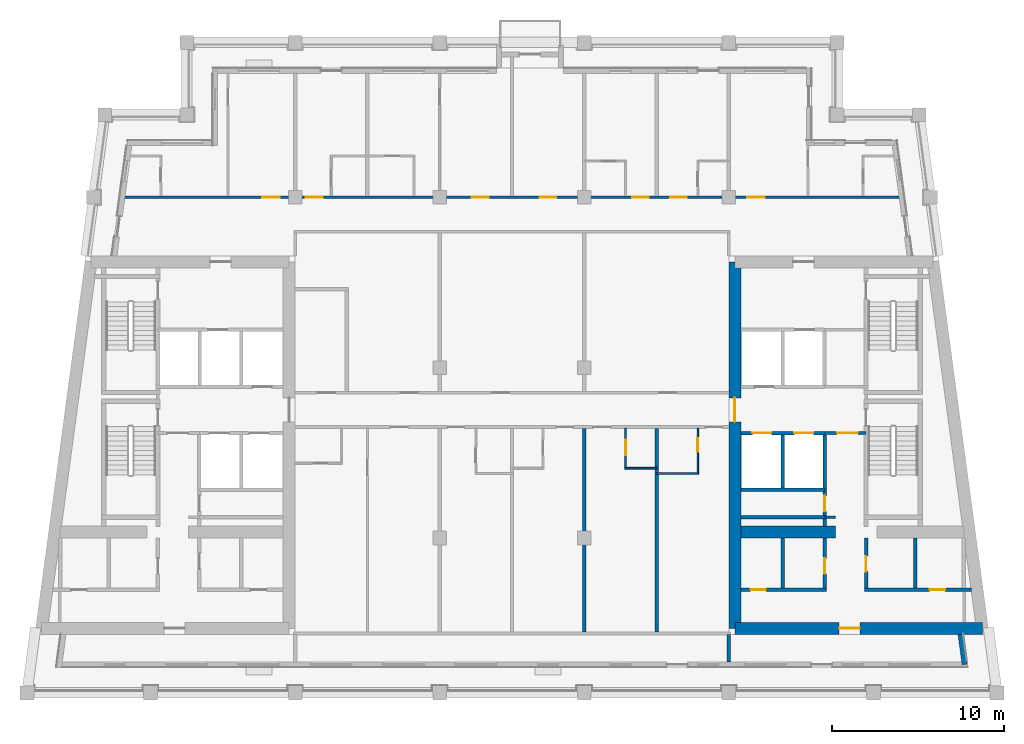
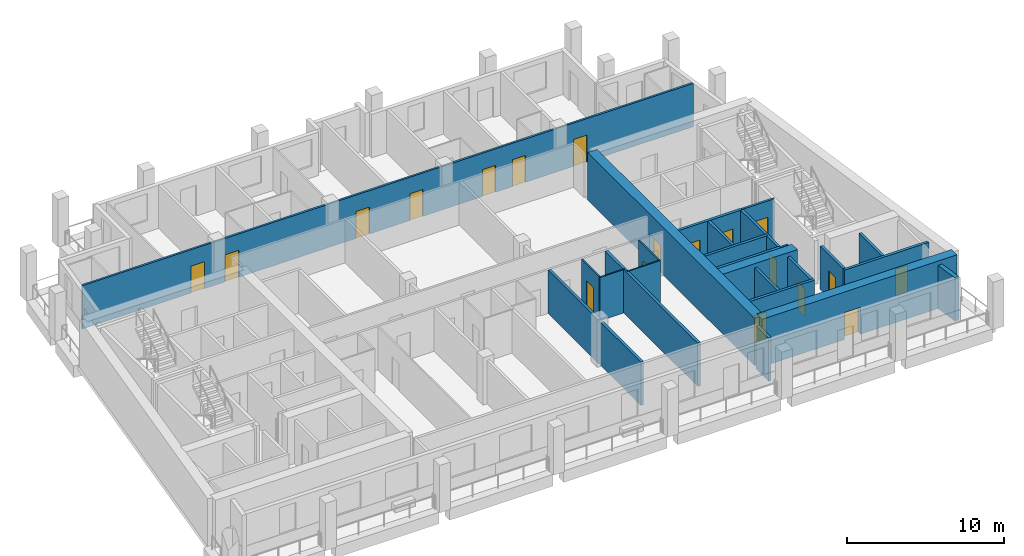
# One storey, part 5 of 13: 25 walls, 19 doors, 19 openings.
"""IFC4 building model written with IfcOpenShell, lengths in metres."""

from ifc_helpers import new_model, si_unit, direction, frame, frame_2d, origin, place, context, subcontext, project, spatial, rectangle, extrude, material, layer, layer_set, type_object, element, fill, save


model = new_model("IFC4")

# Units and contexts
model_context = context("Model", 3, precision=1e-05, world=origin(), true_north=direction((0.0, 1.0)))
body_context = subcontext(model_context, "Body", "Model", "MODEL_VIEW")
ifc_project = project(units=[si_unit("LENGTHUNIT", "METRE"), si_unit("AREAUNIT", "SQUARE_METRE"), si_unit("VOLUMEUNIT", "CUBIC_METRE"), si_unit("PLANEANGLEUNIT", "RADIAN"), si_unit("MASSUNIT", "GRAM", prefix="KILO")], contexts=[model_context])

# Site, building, storey
site_placement = place(None, origin())
site = spatial("IfcSite", under=ifc_project, at=site_placement, CompositionType="ELEMENT")
building_placement = place(site_placement, origin())
building = spatial("IfcBuilding", under=site, at=building_placement, Name="Candeia Pilgrim Tower and Theatre", CompositionType="ELEMENT")
storey_placement = place(building_placement, frame((0.0, 0.0, 270.10009765625)))
storey = spatial("IfcBuildingStorey", under=building, at=storey_placement, Name="L65", CompositionType="ELEMENT", Elevation=270.10009765625)

# Wall, opening, door
ifc_material_1 = material(Name="Concrete C40/50", Category="concrete")
ifc_layer_1 = layer(ifc_material_1, 0.699951171875)
ifc_layer_set_1 = layer_set([ifc_layer_1], Name="Core wall 700 C40/50")
wall_type_1 = type_object("IfcWallType", Name="Core wall 700 C40/50", PredefinedType="SHEAR", material=ifc_layer_set_1)
wall_1_placement = place(storey_placement, frame((140.73046875, 110.75, 0.0), z_axis=(0.0, 0.0, 1.0), x_axis=(-1.0, 0.0, 0.0)))
wall_1 = element("IfcWall", 1, at=wall_1_placement, inside=storey, type_object=wall_type_1, Name="Core wall E3", PredefinedType="SHEAR", context=body_context, shape_type="SweptSolid", body=[
    extrude(rectangle(XDim=14.38037109375, YDim=0.699951171875, at=frame_2d((7.190185546875, 0.0))), origin(), (0.0, 0.0, 1.0), 3.699951171875),
])
opening_1_placement = place(wall_1_placement, frame((7.1201171875, 0.0, 0.0)))
opening_1 = element("IfcOpeningElement", 2, at=opening_1_placement, cuts=wall_1, Name="Opening L65-D049", PredefinedType="OPENING", context=body_context, shape_type="SweptSolid", body=[
    extrude(rectangle(XDim=1.199951171875, YDim=2.10009765625, at=frame_2d((0.60009765625, 1.050048828125))), frame((0.0, 0.35986328125, 0.0), z_axis=(0.0, -1.0, 0.0), x_axis=(1.0, 0.0, 0.0)), (0.0, 0.0, 1.0), 0.719970703125),
])
ifc_material_2 = material(Name="Steel fire door set", Category="steel")
door_type_1 = type_object("IfcDoorType", Name="D-1200-FD60", OperationType="NOTDEFINED", PredefinedType="DOOR", material=ifc_material_2)
door_1_placement = place(opening_1_placement, origin())
door_1 = element("IfcDoor", 3, at=door_1_placement, inside=storey, type_object=door_type_1, Name="Door L65-D049", OperationType="SINGLE_SWING_RIGHT", OverallHeight=2.10009765625, OverallWidth=1.199951171875, PredefinedType="DOOR", context=body_context, shape_type="SweptSolid", body=[
    extrude(rectangle(XDim=1.199951171875, YDim=2.10009765625, at=frame_2d((0.60009765625, 1.050048828125))), frame((0.0, 0.02490234375, 0.0), z_axis=(0.0, -1.0, 0.0), x_axis=(1.0, 0.0, 0.0)), (0.0, 0.0, 1.0), 0.050048828125),
])
fill(opening_1, door_1)

wall_2_placement = place(storey_placement, frame((126.35009765625, 110.75, 0.0), z_axis=(0.0, 0.0, 1.0), x_axis=(0.0, 1.0, 0.0)))
wall_2 = element("IfcWall", 4, at=wall_2_placement, inside=storey, type_object=wall_type_1, Name="Core wall E4", PredefinedType="SHEAR", context=body_context, shape_type="SweptSolid", body=[
    extrude(rectangle(XDim=21.300048828125, YDim=0.699951171875, at=frame_2d((10.64990234375, 0.0))), origin(), (0.0, 0.0, 1.0), 3.699951171875),
])
opening_2_placement = place(wall_2_placement, frame((12.0, 0.0, 0.0)))
opening_2 = element("IfcOpeningElement", 5, at=opening_2_placement, cuts=wall_2, Name="Opening L65-D053", PredefinedType="OPENING", context=body_context, shape_type="SweptSolid", body=[
    extrude(rectangle(XDim=1.39990234375, YDim=2.10009765625, at=frame_2d((0.699951171875, 1.050048828125))), frame((0.0, 0.35986328125, 0.0), z_axis=(0.0, -1.0, 0.0), x_axis=(1.0, 0.0, 0.0)), (0.0, 0.0, 1.0), 0.719970703125),
])
door_type_2 = type_object("IfcDoorType", Name="D-1400-FD60", OperationType="NOTDEFINED", PredefinedType="DOOR", material=ifc_material_2)
door_2_placement = place(opening_2_placement, origin())
door_2 = element("IfcDoor", 6, at=door_2_placement, inside=storey, type_object=door_type_2, Name="Door L65-D053", OperationType="SINGLE_SWING_RIGHT", OverallHeight=2.10009765625, OverallWidth=1.39990234375, PredefinedType="DOOR", context=body_context, shape_type="SweptSolid", body=[
    extrude(rectangle(XDim=1.39990234375, YDim=2.10009765625, at=frame_2d((0.699951171875, 1.050048828125))), frame((0.0, 0.02490234375, 0.0), z_axis=(0.0, -1.0, 0.0), x_axis=(1.0, 0.0, 0.0)), (0.0, 0.0, 1.0), 0.050048828125),
])
fill(opening_2, door_2)

# Walls
wall_3_placement = place(storey_placement, frame((126.699951171875, 116.35009765625, 0.0), z_axis=(0.0, 0.0, 1.0), x_axis=(1.0, 0.0, 0.0)))
element("IfcWall", 7, at=wall_3_placement, inside=storey, type_object=wall_type_1, Name="Core wall E5", PredefinedType="SHEAR", context=body_context, shape_type="SweptSolid", body=[
    extrude(rectangle(XDim=5.5, YDim=0.699951171875, at=frame_2d((2.75, 0.0))), origin(), (0.0, 0.0, 1.0), 3.699951171875),
])
ifc_material_3 = material(Name="Ceramic block masonry", Category="masonry")
ifc_layer_2 = layer(ifc_material_3, 0.300048828125)
ifc_layer_set_2 = layer_set([ifc_layer_2], Name="EW1 glazing-line wall 300")
wall_type_2 = type_object("IfcWallType", Name="EW1 glazing-line wall 300", PredefinedType="SOLIDWALL", material=ifc_layer_set_2)
wall_4_placement = place(storey_placement, frame((139.701416015625, 108.64990234375, 0.0), z_axis=(0.0, 0.0, 1.0), x_axis=(-0.133422458344, 0.991059255347, 0.0)))
element("IfcWall", 8, at=wall_4_placement, inside=storey, type_object=wall_type_2, Name="External wall L65-2.0", PredefinedType="SOLIDWALL", context=body_context, shape_type="SweptSolid", body=[
    extrude(rectangle(XDim=1.765869140625, YDim=0.300048828125, at=frame_2d((0.8828125, 0.0))), origin(), (0.0, 0.0, 1.0), 3.3798828125),
])
ifc_material_4 = material(Name="Gypsum board partition on steel studs", Category="steel")
ifc_layer_3 = layer(ifc_material_4, 0.10009765625)
ifc_layer_set_3 = layer_set([ifc_layer_3], Name="PW-100 room partition")
wall_type_3 = type_object("IfcWallType", Name="PW-100 room partition", PredefinedType="PARTITIONING", material=ifc_layer_set_3)
wall_5_placement = place(storey_placement, frame((121.800048828125, 119.75, 0.0), z_axis=(0.0, 0.0, 1.0), x_axis=(1.0, 0.0, 0.0)))
element("IfcWall", 9, at=wall_5_placement, inside=storey, type_object=wall_type_3, Name="Room partition L65-015", PredefinedType="PARTITIONING", context=body_context, shape_type="SweptSolid", body=[
    extrude(rectangle(XDim=2.449951171875, YDim=0.10009765625, at=frame_2d((1.22509765625, 0.0))), origin(), (0.0, 0.0, 1.0), 3.3798828125),
])
wall_6_placement = place(storey_placement, frame((119.949951171875, 120.050048828125, 0.0), z_axis=(0.0, 0.0, 1.0), x_axis=(1.0, 0.0, 0.0)))
element("IfcWall", 10, at=wall_6_placement, inside=storey, type_object=wall_type_3, Name="Room partition L65-017", PredefinedType="PARTITIONING", context=body_context, shape_type="SweptSolid", body=[
    extrude(rectangle(XDim=1.85009765625, YDim=0.10009765625, at=frame_2d((0.925048828125, 0.0))), origin(), (0.0, 0.0, 1.0), 3.3798828125),
])

# Wall, opening, door
wall_7_placement = place(storey_placement, frame((120.0, 120.10009765625, 0.0), z_axis=(0.0, 0.0, 1.0), x_axis=(0.0, 1.0, 0.0)))
wall_7 = element("IfcWall", 11, at=wall_7_placement, inside=storey, type_object=wall_type_3, Name="Room partition L65-081", PredefinedType="PARTITIONING", context=body_context, shape_type="SweptSolid", body=[
    extrude(rectangle(XDim=2.27490234375, YDim=0.10009765625, at=frame_2d((1.137451171875, 0.0))), origin(), (0.0, 0.0, 1.0), 3.3798828125),
])
opening_3_placement = place(wall_7_placement, frame((0.699951171875, 0.0, 0.0)))
opening_3 = element("IfcOpeningElement", 12, at=opening_3_placement, cuts=wall_7, Name="Opening L65-D025", PredefinedType="OPENING", context=body_context, shape_type="SweptSolid", body=[
    extrude(rectangle(XDim=0.89990234375, YDim=2.10009765625, at=frame_2d((0.449951171875, 1.050048828125))), frame((0.0, 0.06005859375, 0.0), z_axis=(0.0, -1.0, 0.0), x_axis=(1.0, 0.0, 0.0)), (0.0, 0.0, 1.0), 0.1201171875),
])
ifc_material_5 = material(Name="Timber door leaf", Category="wood")
door_type_3 = type_object("IfcDoorType", Name="D-900", OperationType="NOTDEFINED", PredefinedType="DOOR", material=ifc_material_5)
door_3_placement = place(opening_3_placement, origin())
door_3 = element("IfcDoor", 13, at=door_3_placement, inside=storey, type_object=door_type_3, Name="Door L65-D025", OperationType="SINGLE_SWING_RIGHT", OverallHeight=2.10009765625, OverallWidth=0.89990234375, PredefinedType="DOOR", context=body_context, shape_type="SweptSolid", body=[
    extrude(rectangle(XDim=0.89990234375, YDim=2.10009765625, at=frame_2d((0.449951171875, 1.050048828125))), frame((0.0, 0.02490234375, 0.0), z_axis=(0.0, -1.0, 0.0), x_axis=(1.0, 0.0, 0.0)), (0.0, 0.0, 1.0), 0.050048828125),
])
fill(opening_3, door_3)

wall_8_placement = place(storey_placement, frame((124.199951171875, 119.800048828125, 0.0), z_axis=(0.0, 0.0, 1.0), x_axis=(0.0, 1.0, 0.0)))
wall_8 = element("IfcWall", 14, at=wall_8_placement, inside=storey, type_object=wall_type_3, Name="Room partition L65-085", PredefinedType="PARTITIONING", context=body_context, shape_type="SweptSolid", body=[
    extrude(rectangle(XDim=2.574951171875, YDim=0.10009765625, at=frame_2d((1.28759765625, 0.0))), origin(), (0.0, 0.0, 1.0), 3.3798828125),
])
opening_4_placement = place(wall_8_placement, frame((1.199951171875, 0.0, 0.0)))
opening_4 = element("IfcOpeningElement", 15, at=opening_4_placement, cuts=wall_8, Name="Opening L65-D027", PredefinedType="OPENING", context=body_context, shape_type="SweptSolid", body=[
    extrude(rectangle(XDim=0.800048828125, YDim=2.10009765625, at=frame_2d((0.39990234375, 1.050048828125))), frame((0.0, 0.06005859375, 0.0), z_axis=(0.0, -1.0, 0.0), x_axis=(1.0, 0.0, 0.0)), (0.0, 0.0, 1.0), 0.1201171875),
])
door_type_4 = type_object("IfcDoorType", Name="D-800", OperationType="NOTDEFINED", PredefinedType="DOOR", material=ifc_material_5)
door_4_placement = place(opening_4_placement, origin())
door_4 = element("IfcDoor", 16, at=door_4_placement, inside=storey, type_object=door_type_4, Name="Door L65-D027", OperationType="SINGLE_SWING_RIGHT", OverallHeight=2.10009765625, OverallWidth=0.800048828125, PredefinedType="DOOR", context=body_context, shape_type="SweptSolid", body=[
    extrude(rectangle(XDim=0.800048828125, YDim=2.10009765625, at=frame_2d((0.39990234375, 1.050048828125))), frame((0.0, 0.02490234375, 0.0), z_axis=(0.0, -1.0, 0.0), x_axis=(1.0, 0.0, 0.0)), (0.0, 0.0, 1.0), 0.050048828125),
])
fill(opening_4, door_4)

# Wall
ifc_layer_4 = layer(ifc_material_4, 0.14990234375)
ifc_layer_set_4 = layer_set([ifc_layer_4], Name="PW-150 lobby wall")
wall_type_4 = type_object("IfcWallType", Name="PW-150 lobby wall", PredefinedType="PARTITIONING", material=ifc_layer_set_4)
wall_9_placement = place(storey_placement, frame((131.572998046875, 117.199951171875, 0.0), z_axis=(0.0, 0.0, 1.0), x_axis=(1.0, 0.0, 0.0)))
element("IfcWall", 17, at=wall_9_placement, inside=storey, type_object=wall_type_4, Name="Lobby wall L65-009", PredefinedType="PARTITIONING", context=body_context, shape_type="SweptSolid", body=[
    extrude(rectangle(XDim=0.626953125, YDim=0.14990234375, at=frame_2d((0.3134765625, 0.0))), origin(), (0.0, 0.0, 1.0), 3.3798828125),
])

# Wall, opening, door
wall_10_placement = place(storey_placement, frame((131.572998046875, 122.10009765625, 0.0), z_axis=(0.0, 0.0, 1.0), x_axis=(1.0, 0.0, 0.0)))
wall_10 = element("IfcWall", 18, at=wall_10_placement, inside=storey, type_object=wall_type_4, Name="Lobby wall L65-022", PredefinedType="PARTITIONING", context=body_context, shape_type="SweptSolid", body=[
    extrude(rectangle(XDim=2.39990234375, YDim=0.14990234375, at=frame_2d((1.199951171875, 0.0))), origin(), (0.0, 0.0, 1.0), 3.3798828125),
])
opening_5_placement = place(wall_10_placement, frame((0.72509765625, 0.0, 0.0)))
opening_5 = element("IfcOpeningElement", 19, at=opening_5_placement, cuts=wall_10, Name="Opening L65-D009", PredefinedType="OPENING", context=body_context, shape_type="SweptSolid", body=[
    extrude(rectangle(XDim=1.199951171875, YDim=2.10009765625, at=frame_2d((0.60009765625, 1.050048828125))), frame((0.0, 0.0849609375, 0.0), z_axis=(0.0, -1.0, 0.0), x_axis=(1.0, 0.0, 0.0)), (0.0, 0.0, 1.0), 0.169921875),
])
door_5_placement = place(opening_5_placement, origin())
door_5 = element("IfcDoor", 20, at=door_5_placement, inside=storey, type_object=door_type_1, Name="Door L65-D009", OperationType="SINGLE_SWING_RIGHT", OverallHeight=2.10009765625, OverallWidth=1.199951171875, PredefinedType="DOOR", context=body_context, shape_type="SweptSolid", body=[
    extrude(rectangle(XDim=1.199951171875, YDim=2.10009765625, at=frame_2d((0.60009765625, 1.050048828125))), frame((0.0, 0.02490234375, 0.0), z_axis=(0.0, -1.0, 0.0), x_axis=(1.0, 0.0, 0.0)), (0.0, 0.0, 1.0), 0.050048828125),
])
fill(opening_5, door_5)

# Wall, openings, doors
ifc_layer_5 = layer(ifc_material_4, 0.14990234375)
ifc_layer_set_5 = layer_set([ifc_layer_5], Name="PW-150 unit wall")
wall_type_5 = type_object("IfcWallType", Name="PW-150 unit wall", PredefinedType="PARTITIONING", material=ifc_layer_set_5)
wall_11_placement = place(storey_placement, frame((90.89453125, 135.800048828125, 0.0), z_axis=(0.0, 0.0, 1.0), x_axis=(1.0, 0.0, 0.0)))
wall_11 = element("IfcWall", 21, at=wall_11_placement, inside=storey, type_object=wall_type_5, Name="Unit wall L65-039", PredefinedType="PARTITIONING", context=body_context, shape_type="SweptSolid", body=[
    extrude(rectangle(XDim=45.010986328125, YDim=0.14990234375, at=frame_2d((22.50537109375, 0.0))), origin(), (0.0, 0.0, 1.0), 3.3798828125),
])
opening_6_placement = place(wall_11_placement, frame((8.00537109375, 0.0, 0.0)))
opening_6 = element("IfcOpeningElement", 22, at=opening_6_placement, cuts=wall_11, Name="Opening L65-D028", PredefinedType="OPENING", context=body_context, shape_type="SweptSolid", body=[
    extrude(rectangle(XDim=1.0, YDim=2.10009765625, at=frame_2d((0.5, 1.050048828125))), frame((0.0, 0.0849609375, 0.0), z_axis=(0.0, -1.0, 0.0), x_axis=(1.0, 0.0, 0.0)), (0.0, 0.0, 1.0), 0.169921875),
])
opening_7_placement = place(wall_11_placement, frame((10.515380859375, 0.0, 0.0)))
opening_7 = element("IfcOpeningElement", 23, at=opening_7_placement, cuts=wall_11, Name="Opening L65-D031", PredefinedType="OPENING", context=body_context, shape_type="SweptSolid", body=[
    extrude(rectangle(XDim=1.0, YDim=2.10009765625, at=frame_2d((0.5, 1.050048828125))), frame((0.0, 0.0849609375, 0.0), z_axis=(0.0, -1.0, 0.0), x_axis=(1.0, 0.0, 0.0)), (0.0, 0.0, 1.0), 0.169921875),
])
opening_8_placement = place(wall_11_placement, frame((20.155517578125, 0.0, 0.0)))
opening_8 = element("IfcOpeningElement", 24, at=opening_8_placement, cuts=wall_11, Name="Opening L65-D033", PredefinedType="OPENING", context=body_context, shape_type="SweptSolid", body=[
    extrude(rectangle(XDim=1.0, YDim=2.10009765625, at=frame_2d((0.5, 1.050048828125))), frame((0.0, 0.0849609375, 0.0), z_axis=(0.0, -1.0, 0.0), x_axis=(1.0, 0.0, 0.0)), (0.0, 0.0, 1.0), 0.169921875),
])
opening_9_placement = place(wall_11_placement, frame((24.13037109375, 0.0, 0.0)))
opening_9 = element("IfcOpeningElement", 25, at=opening_9_placement, cuts=wall_11, Name="Opening L65-D036", PredefinedType="OPENING", context=body_context, shape_type="SweptSolid", body=[
    extrude(rectangle(XDim=0.949951171875, YDim=2.10009765625, at=frame_2d((0.47509765625, 1.050048828125))), frame((0.0, 0.0849609375, 0.0), z_axis=(0.0, -1.0, 0.0), x_axis=(1.0, 0.0, 0.0)), (0.0, 0.0, 1.0), 0.169921875),
])
opening_10_placement = place(wall_11_placement, frame((29.492431640625, 0.0, 0.0)))
opening_10 = element("IfcOpeningElement", 26, at=opening_10_placement, cuts=wall_11, Name="Opening L65-D037", PredefinedType="OPENING", context=body_context, shape_type="SweptSolid", body=[
    extrude(rectangle(XDim=0.949951171875, YDim=2.10009765625, at=frame_2d((0.47509765625, 1.050048828125))), frame((0.0, 0.0849609375, 0.0), z_axis=(0.0, -1.0, 0.0), x_axis=(1.0, 0.0, 0.0)), (0.0, 0.0, 1.0), 0.169921875),
])
opening_11_placement = place(wall_11_placement, frame((31.705322265625, 0.0, 0.0)))
opening_11 = element("IfcOpeningElement", 27, at=opening_11_placement, cuts=wall_11, Name="Opening L65-D039", PredefinedType="OPENING", context=body_context, shape_type="SweptSolid", body=[
    extrude(rectangle(XDim=0.949951171875, YDim=2.10009765625, at=frame_2d((0.47509765625, 1.050048828125))), frame((0.0, 0.0849609375, 0.0), z_axis=(0.0, -1.0, 0.0), x_axis=(1.0, 0.0, 0.0)), (0.0, 0.0, 1.0), 0.169921875),
])
opening_12_placement = place(wall_11_placement, frame((36.180419921875, 0.0, 0.0)))
opening_12 = element("IfcOpeningElement", 28, at=opening_12_placement, cuts=wall_11, Name="Opening L65-D041", PredefinedType="OPENING", context=body_context, shape_type="SweptSolid", body=[
    extrude(rectangle(XDim=1.0, YDim=2.10009765625, at=frame_2d((0.5, 1.050048828125))), frame((0.0, 0.0849609375, 0.0), z_axis=(0.0, -1.0, 0.0), x_axis=(1.0, 0.0, 0.0)), (0.0, 0.0, 1.0), 0.169921875),
])
door_type_5 = type_object("IfcDoorType", Name="D-1000-FD30S", OperationType="NOTDEFINED", PredefinedType="DOOR", material=ifc_material_2)
door_6_placement = place(opening_6_placement, origin())
door_6 = element("IfcDoor", 29, at=door_6_placement, inside=storey, type_object=door_type_5, Name="Door L65-D028", OperationType="SINGLE_SWING_LEFT", OverallHeight=2.10009765625, OverallWidth=1.0, PredefinedType="DOOR", context=body_context, shape_type="SweptSolid", body=[
    extrude(rectangle(XDim=1.0, YDim=2.10009765625, at=frame_2d((0.5, 1.050048828125))), frame((0.0, 0.02490234375, 0.0), z_axis=(0.0, -1.0, 0.0), x_axis=(1.0, 0.0, 0.0)), (0.0, 0.0, 1.0), 0.050048828125),
])
fill(opening_6, door_6)
door_7_placement = place(opening_7_placement, origin())
door_7 = element("IfcDoor", 30, at=door_7_placement, inside=storey, type_object=door_type_5, Name="Door L65-D031", OperationType="SINGLE_SWING_RIGHT", OverallHeight=2.10009765625, OverallWidth=1.0, PredefinedType="DOOR", context=body_context, shape_type="SweptSolid", body=[
    extrude(rectangle(XDim=1.0, YDim=2.10009765625, at=frame_2d((0.5, 1.050048828125))), frame((0.0, 0.02490234375, 0.0), z_axis=(0.0, -1.0, 0.0), x_axis=(1.0, 0.0, 0.0)), (0.0, 0.0, 1.0), 0.050048828125),
])
fill(opening_7, door_7)
door_8_placement = place(opening_8_placement, origin())
door_8 = element("IfcDoor", 31, at=door_8_placement, inside=storey, type_object=door_type_5, Name="Door L65-D033", OperationType="SINGLE_SWING_RIGHT", OverallHeight=2.10009765625, OverallWidth=1.0, PredefinedType="DOOR", context=body_context, shape_type="SweptSolid", body=[
    extrude(rectangle(XDim=1.0, YDim=2.10009765625, at=frame_2d((0.5, 1.050048828125))), frame((0.0, 0.02490234375, 0.0), z_axis=(0.0, -1.0, 0.0), x_axis=(1.0, 0.0, 0.0)), (0.0, 0.0, 1.0), 0.050048828125),
])
fill(opening_8, door_8)
door_9_placement = place(opening_12_placement, origin())
door_9 = element("IfcDoor", 32, at=door_9_placement, inside=storey, type_object=door_type_5, Name="Door L65-D041", OperationType="SINGLE_SWING_RIGHT", OverallHeight=2.10009765625, OverallWidth=1.0, PredefinedType="DOOR", context=body_context, shape_type="SweptSolid", body=[
    extrude(rectangle(XDim=1.0, YDim=2.10009765625, at=frame_2d((0.5, 1.050048828125))), frame((0.0, 0.02490234375, 0.0), z_axis=(0.0, -1.0, 0.0), x_axis=(1.0, 0.0, 0.0)), (0.0, 0.0, 1.0), 0.050048828125),
])
fill(opening_12, door_9)
door_type_6 = type_object("IfcDoorType", Name="D-950-FD30S", OperationType="NOTDEFINED", PredefinedType="DOOR", material=ifc_material_2)
door_10_placement = place(opening_9_placement, origin())
door_10 = element("IfcDoor", 33, at=door_10_placement, inside=storey, type_object=door_type_6, Name="Door L65-D036", OperationType="SINGLE_SWING_LEFT", OverallHeight=2.10009765625, OverallWidth=0.949951171875, PredefinedType="DOOR", context=body_context, shape_type="SweptSolid", body=[
    extrude(rectangle(XDim=0.949951171875, YDim=2.10009765625, at=frame_2d((0.47509765625, 1.050048828125))), frame((0.0, 0.02490234375, 0.0), z_axis=(0.0, -1.0, 0.0), x_axis=(1.0, 0.0, 0.0)), (0.0, 0.0, 1.0), 0.050048828125),
])
fill(opening_9, door_10)
door_11_placement = place(opening_10_placement, origin())
door_11 = element("IfcDoor", 34, at=door_11_placement, inside=storey, type_object=door_type_6, Name="Door L65-D037", OperationType="SINGLE_SWING_RIGHT", OverallHeight=2.10009765625, OverallWidth=0.949951171875, PredefinedType="DOOR", context=body_context, shape_type="SweptSolid", body=[
    extrude(rectangle(XDim=0.949951171875, YDim=2.10009765625, at=frame_2d((0.47509765625, 1.050048828125))), frame((0.0, 0.02490234375, 0.0), z_axis=(0.0, -1.0, 0.0), x_axis=(1.0, 0.0, 0.0)), (0.0, 0.0, 1.0), 0.050048828125),
])
fill(opening_10, door_11)
door_12_placement = place(opening_11_placement, origin())
door_12 = element("IfcDoor", 35, at=door_12_placement, inside=storey, type_object=door_type_6, Name="Door L65-D039", OperationType="SINGLE_SWING_RIGHT", OverallHeight=2.10009765625, OverallWidth=0.949951171875, PredefinedType="DOOR", context=body_context, shape_type="SweptSolid", body=[
    extrude(rectangle(XDim=0.949951171875, YDim=2.10009765625, at=frame_2d((0.47509765625, 1.050048828125))), frame((0.0, 0.02490234375, 0.0), z_axis=(0.0, -1.0, 0.0), x_axis=(1.0, 0.0, 0.0)), (0.0, 0.0, 1.0), 0.050048828125),
])
fill(opening_11, door_12)

# Walls
ifc_layer_6 = layer(ifc_material_4, 0.199951171875)
ifc_layer_set_6 = layer_set([ifc_layer_6], Name="PW-200 party wall")
wall_type_6 = type_object("IfcWallType", Name="PW-200 party wall", PredefinedType="PARTITIONING", material=ifc_layer_set_6)
for number, where, z_axis, x_axis, name in (
    (36, (117.60009765625, 110.550048828125, 0.0), (0.0, 0.0, 1.0), (0.0, 1.0, 0.0), "Party wall L65-078"),
    (37, (121.800048828125, 110.550048828125, 0.0), (0.0, 0.0, 1.0), (0.0, 1.0, 0.0), "Party wall L65-083"),
):
    element("IfcWall", number, at=place(storey_placement, frame(where, z_axis=z_axis, x_axis=x_axis)), inside=storey, type_object=wall_type_6, Name=name, PredefinedType="PARTITIONING", context=body_context, shape_type="SweptSolid", body=[
        extrude(rectangle(XDim=11.824951171875, YDim=0.199951171875, at=frame_2d((5.91259765625, 0.0))), origin(), (0.0, 0.0, 1.0), 3.3798828125),
    ])
wall_12_placement = place(storey_placement, frame((126.0, 108.7900390625, 0.0), z_axis=(0.0, 0.0, 1.0), x_axis=(0.0, 1.0, 0.0)))
element("IfcWall", 38, at=wall_12_placement, inside=storey, type_object=wall_type_6, Name="Party wall L65-087", PredefinedType="PARTITIONING", context=body_context, shape_type="SweptSolid", body=[
    extrude(rectangle(XDim=1.60986328125, YDim=0.199951171875, at=frame_2d((0.804931640625, 0.0))), origin(), (0.0, 0.0, 1.0), 3.3798828125),
])

# Wall, opening, door
ifc_layer_7 = layer(ifc_material_1, 0.199951171875)
ifc_layer_set_7 = layer_set([ifc_layer_7], Name="SW-200 shaft wall")
wall_type_7 = type_object("IfcWallType", Name="SW-200 shaft wall", PredefinedType="PARTITIONING", material=ifc_layer_set_7)
wall_13_placement = place(storey_placement, frame((126.699951171875, 113.0, 0.0), z_axis=(0.0, 0.0, 1.0), x_axis=(1.0, 0.0, 0.0)))
wall_13 = element("IfcWall", 39, at=wall_13_placement, inside=storey, type_object=wall_type_7, Name="Shaft wall L65-004", PredefinedType="PARTITIONING", context=body_context, shape_type="SweptSolid", body=[
    extrude(rectangle(XDim=4.97314453125, YDim=0.199951171875, at=frame_2d((2.486572265625, 0.0))), origin(), (0.0, 0.0, 1.0), 3.3798828125),
])
opening_13_placement = place(wall_13_placement, frame((0.55908203125, 0.0, 0.0)))
opening_13 = element("IfcOpeningElement", 40, at=opening_13_placement, cuts=wall_13, Name="Opening L65-D016", PredefinedType="OPENING", context=body_context, shape_type="SweptSolid", body=[
    extrude(rectangle(XDim=0.89990234375, YDim=2.10009765625, at=frame_2d((0.449951171875, 1.050048828125))), frame((0.0, 0.10986328125, 0.0), z_axis=(0.0, -1.0, 0.0), x_axis=(1.0, 0.0, 0.0)), (0.0, 0.0, 1.0), 0.219970703125),
])
door_type_7 = type_object("IfcDoorType", Name="D-900-FD60", OperationType="NOTDEFINED", PredefinedType="DOOR", material=ifc_material_2)
door_13_placement = place(opening_13_placement, origin())
door_13 = element("IfcDoor", 41, at=door_13_placement, inside=storey, type_object=door_type_7, Name="Door L65-D016", OperationType="SINGLE_SWING_LEFT", OverallHeight=2.10009765625, OverallWidth=0.89990234375, PredefinedType="DOOR", context=body_context, shape_type="SweptSolid", body=[
    extrude(rectangle(XDim=0.89990234375, YDim=2.10009765625, at=frame_2d((0.449951171875, 1.050048828125))), frame((0.0, 0.02490234375, 0.0), z_axis=(0.0, -1.0, 0.0), x_axis=(1.0, 0.0, 0.0)), (0.0, 0.0, 1.0), 0.050048828125),
])
fill(opening_13, door_13)

wall_14_placement = place(storey_placement, frame((133.873046875, 113.0, 0.0), z_axis=(0.0, 0.0, 1.0), x_axis=(1.0, 0.0, 0.0)))
wall_14 = element("IfcWall", 42, at=wall_14_placement, inside=storey, type_object=wall_type_7, Name="Shaft wall L65-005", PredefinedType="PARTITIONING", context=body_context, shape_type="SweptSolid", body=[
    extrude(rectangle(XDim=6.2314453125, YDim=0.199951171875, at=frame_2d((3.11572265625, 0.0))), origin(), (0.0, 0.0, 1.0), 3.3798828125),
])
opening_14_placement = place(wall_14_placement, frame((3.800048828125, 0.0, 0.0)))
opening_14 = element("IfcOpeningElement", 43, at=opening_14_placement, cuts=wall_14, Name="Opening L65-D013", PredefinedType="OPENING", context=body_context, shape_type="SweptSolid", body=[
    extrude(rectangle(XDim=0.89990234375, YDim=2.10009765625, at=frame_2d((0.449951171875, 1.050048828125))), frame((0.0, 0.10986328125, 0.0), z_axis=(0.0, -1.0, 0.0), x_axis=(1.0, 0.0, 0.0)), (0.0, 0.0, 1.0), 0.219970703125),
])
door_14_placement = place(opening_14_placement, origin())
door_14 = element("IfcDoor", 44, at=door_14_placement, inside=storey, type_object=door_type_7, Name="Door L65-D013", OperationType="SINGLE_SWING_RIGHT", OverallHeight=2.10009765625, OverallWidth=0.89990234375, PredefinedType="DOOR", context=body_context, shape_type="SweptSolid", body=[
    extrude(rectangle(XDim=0.89990234375, YDim=2.10009765625, at=frame_2d((0.449951171875, 1.050048828125))), frame((0.0, 0.02490234375, 0.0), z_axis=(0.0, -1.0, 0.0), x_axis=(1.0, 0.0, 0.0)), (0.0, 0.0, 1.0), 0.050048828125),
])
fill(opening_14, door_14)

# Walls
for number, where, z_axis, x_axis, name in (
    (45, (126.699951171875, 117.199951171875, 0.0), (0.0, 0.0, 1.0), (1.0, 0.0, 0.0), "Shaft wall L65-007"),
    (46, (126.699951171875, 118.800048828125, 0.0), (0.0, 0.0, 1.0), (1.0, 0.0, 0.0), "Shaft wall L65-013"),
):
    element("IfcWall", number, at=place(storey_placement, frame(where, z_axis=z_axis, x_axis=x_axis)), inside=storey, type_object=wall_type_7, Name=name, PredefinedType="PARTITIONING", context=body_context, shape_type="SweptSolid", body=[
        extrude(rectangle(XDim=4.873046875, YDim=0.199951171875, at=frame_2d((2.4365234375, 0.0))), origin(), (0.0, 0.0, 1.0), 3.3798828125),
    ])

# Wall, openings, doors
wall_15_placement = place(storey_placement, frame((126.699951171875, 122.10009765625, 0.0), z_axis=(0.0, 0.0, 1.0), x_axis=(1.0, 0.0, 0.0)))
wall_15 = element("IfcWall", 47, at=wall_15_placement, inside=storey, type_object=wall_type_7, Name="Shaft wall L65-020", PredefinedType="PARTITIONING", context=body_context, shape_type="SweptSolid", body=[
    extrude(rectangle(XDim=4.873046875, YDim=0.199951171875, at=frame_2d((2.4365234375, 0.0))), origin(), (0.0, 0.0, 1.0), 3.3798828125),
])
opening_15_placement = place(wall_15_placement, frame((3.10498046875, 0.0, 0.0)))
opening_15 = element("IfcOpeningElement", 48, at=opening_15_placement, cuts=wall_15, Name="Opening L65-LD05", PredefinedType="OPENING", context=body_context, shape_type="SweptSolid", body=[
    extrude(rectangle(XDim=1.10009765625, YDim=2.10009765625, at=frame_2d((0.550048828125, 1.050048828125))), frame((0.0, 0.10986328125, 0.0), z_axis=(0.0, -1.0, 0.0), x_axis=(1.0, 0.0, 0.0)), (0.0, 0.0, 1.0), 0.219970703125),
])
opening_16_placement = place(wall_15_placement, frame((0.66796875, 0.0, 0.0)))
opening_16 = element("IfcOpeningElement", 49, at=opening_16_placement, cuts=wall_15, Name="Opening L65-LD06", PredefinedType="OPENING", context=body_context, shape_type="SweptSolid", body=[
    extrude(rectangle(XDim=1.10009765625, YDim=2.10009765625, at=frame_2d((0.550048828125, 1.050048828125))), frame((0.0, 0.10986328125, 0.0), z_axis=(0.0, -1.0, 0.0), x_axis=(1.0, 0.0, 0.0)), (0.0, 0.0, 1.0), 0.219970703125),
])
ifc_material_6 = material(Name="Glazed aluminium landing door", Category="aluminium")
door_type_8 = type_object("IfcDoorType", Name="LD-1100-EI120", OperationType="SLIDING_TO_LEFT", PredefinedType="DOOR", material=ifc_material_6)
door_15_placement = place(opening_15_placement, origin())
door_15 = element("IfcDoor", 50, at=door_15_placement, inside=storey, type_object=door_type_8, Name="Landing door 05 L65", OperationType="SLIDING_TO_LEFT", OverallHeight=2.10009765625, OverallWidth=1.10009765625, PredefinedType="DOOR", context=body_context, shape_type="SweptSolid", body=[
    extrude(rectangle(XDim=1.10009765625, YDim=2.10009765625, at=frame_2d((0.550048828125, 1.050048828125))), frame((0.0, 0.02490234375, 0.0), z_axis=(0.0, -1.0, 0.0), x_axis=(1.0, 0.0, 0.0)), (0.0, 0.0, 1.0), 0.050048828125),
])
fill(opening_15, door_15)
door_16_placement = place(opening_16_placement, origin())
door_16 = element("IfcDoor", 51, at=door_16_placement, inside=storey, type_object=door_type_8, Name="Landing door 06 L65", OperationType="SLIDING_TO_LEFT", OverallHeight=2.10009765625, OverallWidth=1.10009765625, PredefinedType="DOOR", context=body_context, shape_type="SweptSolid", body=[
    extrude(rectangle(XDim=1.10009765625, YDim=2.10009765625, at=frame_2d((0.550048828125, 1.050048828125))), frame((0.0, 0.02490234375, 0.0), z_axis=(0.0, -1.0, 0.0), x_axis=(1.0, 0.0, 0.0)), (0.0, 0.0, 1.0), 0.050048828125),
])
fill(opening_16, door_16)

# Walls
wall_16_placement = place(storey_placement, frame((129.136474609375, 113.10009765625, 0.0), z_axis=(0.0, 0.0, 1.0), x_axis=(0.0, 1.0, 0.0)))
element("IfcWall", 52, at=wall_16_placement, inside=storey, type_object=wall_type_7, Name="Shaft wall L65-091", PredefinedType="PARTITIONING", context=body_context, shape_type="SweptSolid", body=[
    extrude(rectangle(XDim=2.89990234375, YDim=0.199951171875, at=frame_2d((1.449951171875, 0.0))), origin(), (0.0, 0.0, 1.0), 3.3798828125),
])
wall_17_placement = place(storey_placement, frame((129.136474609375, 118.89990234375, 0.0), z_axis=(0.0, 0.0, 1.0), x_axis=(0.0, 1.0, 0.0)))
element("IfcWall", 53, at=wall_17_placement, inside=storey, type_object=wall_type_7, Name="Shaft wall L65-092", PredefinedType="PARTITIONING", context=body_context, shape_type="SweptSolid", body=[
    extrude(rectangle(XDim=3.10009765625, YDim=0.199951171875, at=frame_2d((1.550048828125, 0.0))), origin(), (0.0, 0.0, 1.0), 3.3798828125),
])

# Wall, opening, door
wall_18_placement = place(storey_placement, frame((131.572998046875, 113.10009765625, 0.0), z_axis=(0.0, 0.0, 1.0), x_axis=(0.0, 1.0, 0.0)))
wall_18 = element("IfcWall", 54, at=wall_18_placement, inside=storey, type_object=wall_type_7, Name="Shaft wall L65-095", PredefinedType="PARTITIONING", context=body_context, shape_type="SweptSolid", body=[
    extrude(rectangle(XDim=2.89990234375, YDim=0.199951171875, at=frame_2d((1.449951171875, 0.0))), origin(), (0.0, 0.0, 1.0), 3.3798828125),
])
opening_17_placement = place(wall_18_placement, frame((0.81005859375, 0.0, 0.0)))
opening_17 = element("IfcOpeningElement", 55, at=opening_17_placement, cuts=wall_18, Name="Opening L65-D015", PredefinedType="OPENING", context=body_context, shape_type="SweptSolid", body=[
    extrude(rectangle(XDim=0.89990234375, YDim=2.10009765625, at=frame_2d((0.449951171875, 1.050048828125))), frame((0.0, 0.10986328125, 0.0), z_axis=(0.0, -1.0, 0.0), x_axis=(1.0, 0.0, 0.0)), (0.0, 0.0, 1.0), 0.219970703125),
])
door_17_placement = place(opening_17_placement, origin())
door_17 = element("IfcDoor", 56, at=door_17_placement, inside=storey, type_object=door_type_7, Name="Door L65-D015", OperationType="SINGLE_SWING_RIGHT", OverallHeight=2.10009765625, OverallWidth=0.89990234375, PredefinedType="DOOR", context=body_context, shape_type="SweptSolid", body=[
    extrude(rectangle(XDim=0.89990234375, YDim=2.10009765625, at=frame_2d((0.449951171875, 1.050048828125))), frame((0.0, 0.02490234375, 0.0), z_axis=(0.0, -1.0, 0.0), x_axis=(1.0, 0.0, 0.0)), (0.0, 0.0, 1.0), 0.050048828125),
])
fill(opening_17, door_17)

wall_19_placement = place(storey_placement, frame((131.572998046875, 116.669921875, 0.0), z_axis=(0.0, 0.0, 1.0), x_axis=(0.0, 1.0, 0.0)))
wall_19 = element("IfcWall", 57, at=wall_19_placement, inside=storey, type_object=wall_type_7, Name="Shaft wall L65-096", PredefinedType="PARTITIONING", context=body_context, shape_type="SweptSolid", body=[
    extrude(rectangle(XDim=5.330078125, YDim=0.199951171875, at=frame_2d((2.6650390625, 0.0))), origin(), (0.0, 0.0, 1.0), 3.3798828125),
])
opening_18_placement = place(wall_19_placement, frame((0.8798828125, 0.0, 0.0)))
opening_18 = element("IfcOpeningElement", 58, at=opening_18_placement, cuts=wall_19, Name="Opening L65-D012", PredefinedType="OPENING", context=body_context, shape_type="SweptSolid", body=[
    extrude(rectangle(XDim=0.89990234375, YDim=2.10009765625, at=frame_2d((0.449951171875, 1.050048828125))), frame((0.0, 0.10986328125, 0.0), z_axis=(0.0, -1.0, 0.0), x_axis=(1.0, 0.0, 0.0)), (0.0, 0.0, 1.0), 0.219970703125),
])
door_18_placement = place(opening_18_placement, origin())
door_18 = element("IfcDoor", 59, at=door_18_placement, inside=storey, type_object=door_type_7, Name="Door L65-D012", OperationType="SINGLE_SWING_LEFT", OverallHeight=2.10009765625, OverallWidth=0.89990234375, PredefinedType="DOOR", context=body_context, shape_type="SweptSolid", body=[
    extrude(rectangle(XDim=0.89990234375, YDim=2.10009765625, at=frame_2d((0.449951171875, 1.050048828125))), frame((0.0, 0.02490234375, 0.0), z_axis=(0.0, -1.0, 0.0), x_axis=(1.0, 0.0, 0.0)), (0.0, 0.0, 1.0), 0.050048828125),
])
fill(opening_18, door_18)

wall_20_placement = place(storey_placement, frame((133.972900390625, 113.10009765625, 0.0), z_axis=(0.0, 0.0, 1.0), x_axis=(0.0, 1.0, 0.0)))
wall_20 = element("IfcWall", 60, at=wall_20_placement, inside=storey, type_object=wall_type_7, Name="Shaft wall L65-098", PredefinedType="PARTITIONING", context=body_context, shape_type="SweptSolid", body=[
    extrude(rectangle(XDim=2.89990234375, YDim=0.199951171875, at=frame_2d((1.449951171875, 0.0))), origin(), (0.0, 0.0, 1.0), 3.3798828125),
])
opening_19_placement = place(wall_20_placement, frame((0.949951171875, 0.0, 0.0)))
opening_19 = element("IfcOpeningElement", 61, at=opening_19_placement, cuts=wall_20, Name="Opening L65-D014", PredefinedType="OPENING", context=body_context, shape_type="SweptSolid", body=[
    extrude(rectangle(XDim=0.89990234375, YDim=2.10009765625, at=frame_2d((0.449951171875, 1.050048828125))), frame((0.0, 0.10986328125, 0.0), z_axis=(0.0, -1.0, 0.0), x_axis=(1.0, 0.0, 0.0)), (0.0, 0.0, 1.0), 0.219970703125),
])
door_19_placement = place(opening_19_placement, origin())
door_19 = element("IfcDoor", 62, at=door_19_placement, inside=storey, type_object=door_type_7, Name="Door L65-D014", OperationType="SINGLE_SWING_LEFT", OverallHeight=2.10009765625, OverallWidth=0.89990234375, PredefinedType="DOOR", context=body_context, shape_type="SweptSolid", body=[
    extrude(rectangle(XDim=0.89990234375, YDim=2.10009765625, at=frame_2d((0.449951171875, 1.050048828125))), frame((0.0, 0.02490234375, 0.0), z_axis=(0.0, -1.0, 0.0), x_axis=(1.0, 0.0, 0.0)), (0.0, 0.0, 1.0), 0.050048828125),
])
fill(opening_19, door_19)

# Wall
wall_21_placement = place(storey_placement, frame((136.822998046875, 113.10009765625, 0.0), z_axis=(0.0, 0.0, 1.0), x_axis=(0.0, 1.0, 0.0)))
element("IfcWall", 63, at=wall_21_placement, inside=storey, type_object=wall_type_7, Name="Shaft wall L65-102", PredefinedType="PARTITIONING", context=body_context, shape_type="SweptSolid", body=[
    extrude(rectangle(XDim=2.89990234375, YDim=0.199951171875, at=frame_2d((1.449951171875, 0.0))), origin(), (0.0, 0.0, 1.0), 3.3798828125),
])

save(model, "model.ifc")
